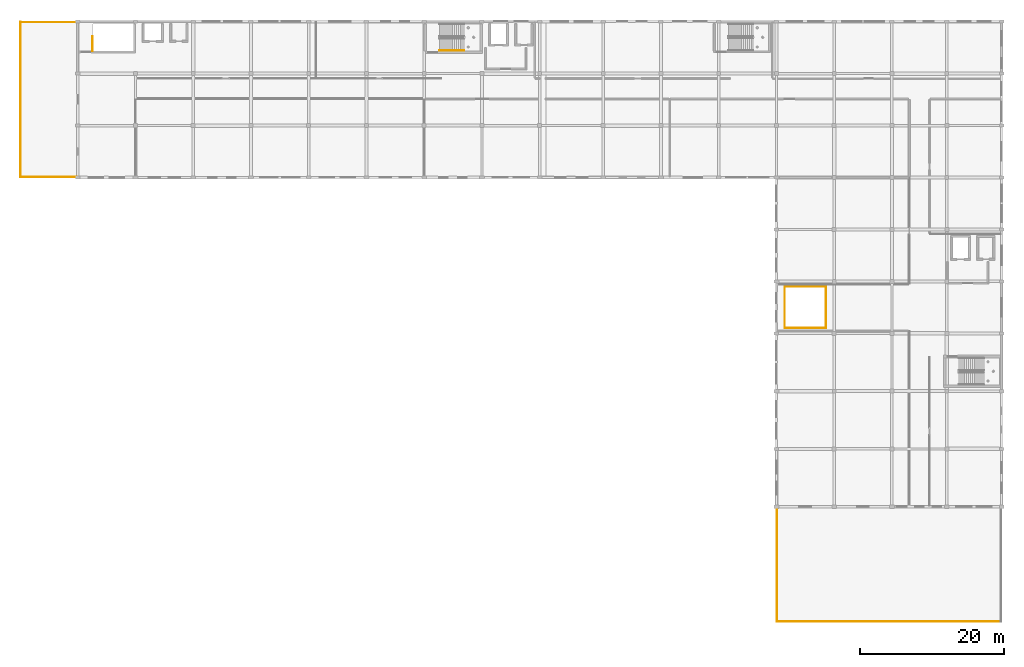
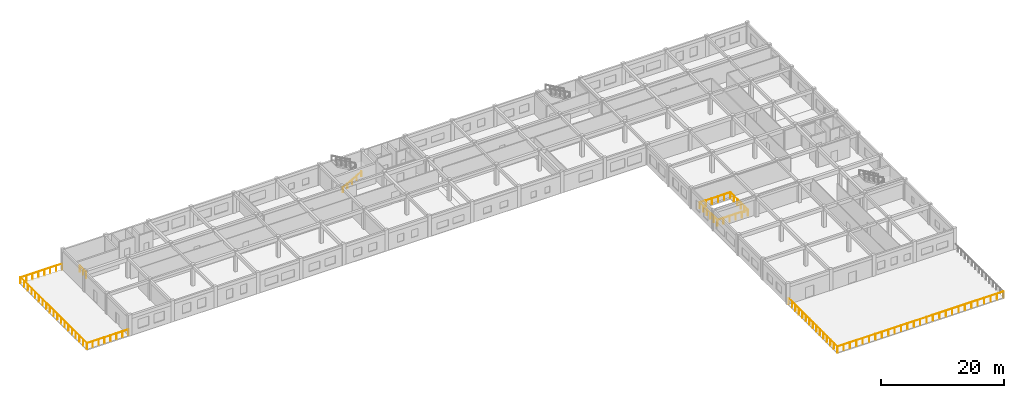
# One storey, part 16 of 19: 11 railings.
"""IFC4 building model written with IfcOpenShell, lengths in metres."""

import ifcopenshell
import ifcopenshell.guid

model = None  # the IFC model being written
_history = None  # IfcOwnerHistory: only IFC2X3 demands one
_inside = {}  # id of a spatial element -> (the spatial element, [elements in it])
_under = {}  # id of a project, library or spatial element -> (it, [spatial elements below it])
_declared = {}  # id of a project -> (the project, [libraries it declares])
_typed = {}  # id of a type object -> (the type object, [elements of that type])
_made_of = {}  # id of a material, layer set ... -> (it, [elements and type objects made of it])


def new_model(schema):
    """Start an empty IFC model of exactly this schema.

    Asked for "IFC4X3", IfcOpenShell would pick the latest addendum, in which some entities
    have other attributes; the version numbers below select the first issue.
    IFC2X3 requires an IfcOwnerHistory on every rooted entity: one is made here for all.
    """
    global model, _history
    if schema == "IFC4X3":
        model = ifcopenshell.file(schema_version=(4, 3, 0, 0))
    else:
        model = ifcopenshell.file(schema=schema)
    _inside.clear()
    _under.clear()
    _declared.clear()
    _typed.clear()
    _made_of.clear()
    _history = None
    if model.schema == "IFC2X3":
        org = make("IfcOrganization", Name="unknown")
        user = make(
            "IfcPersonAndOrganization",
            ThePerson=make("IfcPerson", FamilyName="unknown"),
            TheOrganization=org,
        )
        app = make(
            "IfcApplication",
            ApplicationDeveloper=org,
            Version="unknown",
            ApplicationFullName="unknown",
            ApplicationIdentifier="unknown",
        )
        _history = make(
            "IfcOwnerHistory",
            OwningUser=user,
            OwningApplication=app,
            ChangeAction="ADDED",
            CreationDate=0,
        )
    return model


def make(cls, **values):
    """One entity of the class cls with the attributes given. An attribute that is None is left unset."""
    return model.create_entity(
        cls, **{name: value for name, value in values.items() if value is not None}
    )


def rooted(cls, **values):
    """An entity with a GlobalId (a new one), such as an element, a storey or a relation."""
    return make(cls, GlobalId=ifcopenshell.guid.new(), OwnerHistory=_history, **values)


def si_unit(unit_type, name, prefix=None):
    """IfcSIUnit, for example si_unit("LENGTHUNIT", "METRE", prefix="MILLI")."""
    return make("IfcSIUnit", UnitType=unit_type, Prefix=prefix, Name=name)


def assignment(units):
    """IfcUnitAssignment: the units of a project."""
    return None if units is None else make("IfcUnitAssignment", Units=units)


def point(xyz):
    """IfcCartesianPoint."""
    return None if xyz is None else make("IfcCartesianPoint", Coordinates=xyz)


def direction(xyz):
    """IfcDirection."""
    return None if xyz is None else make("IfcDirection", DirectionRatios=xyz)


def frame(location, z_axis=None, x_axis=None):
    """IfcAxis2Placement3D, a coordinate frame: its origin and axes. An axis left out is left unset."""
    return make(
        "IfcAxis2Placement3D",
        Location=point(location),
        Axis=direction(z_axis),
        RefDirection=direction(x_axis),
    )


def frame_2d(location, x_axis=None):
    """IfcAxis2Placement2D, a coordinate frame in the plane: its origin and x axis."""
    return make(
        "IfcAxis2Placement2D", Location=point(location), RefDirection=direction(x_axis)
    )


def origin():
    """The frame at (0, 0, 0) with its axes left unset."""
    return frame((0.0, 0.0, 0.0))


def origin_2d():
    """The frame at (0, 0) in the plane with its x axis left unset."""
    return frame_2d((0.0, 0.0))


def place(relative_to, where):
    """IfcLocalPlacement: puts the frame where relative to a parent placement (None: the world)."""
    return make(
        "IfcLocalPlacement", PlacementRelTo=relative_to, RelativePlacement=where
    )


def context(
    kind, dimensions, precision=None, world=None, true_north=None, identifier=None
):
    """IfcGeometricRepresentationContext, for example the 3D "Model" context."""
    return make(
        "IfcGeometricRepresentationContext",
        ContextIdentifier=identifier,
        ContextType=kind,
        CoordinateSpaceDimension=dimensions,
        Precision=precision,
        WorldCoordinateSystem=world,
        TrueNorth=true_north,
    )


def subcontext(parent, identifier, kind, view, scale=None):
    """IfcGeometricRepresentationSubContext, for example "Body" below "Model"."""
    return make(
        "IfcGeometricRepresentationSubContext",
        ContextIdentifier=identifier,
        ContextType=kind,
        ParentContext=parent,
        TargetScale=scale,
        TargetView=view,
    )


def project(units=None, contexts=None):
    """IfcProject with its units and contexts."""
    return rooted(
        "IfcProject",
        Name="project",
        RepresentationContexts=contexts,
        UnitsInContext=assignment(units),
    )


def spatial(cls, under=None, at=None, **own):
    """A site, building, storey or space (cls), placed at a placement, below another one or the project."""
    s = rooted(cls, ObjectPlacement=at, **own)
    if under is not None:
        _under.setdefault(under.id(), (under, []))[1].append(s)
    return s


def profile(cls, at=None, kind="AREA", **sizes):
    """A parametric profile (cls). Its sizes go by their IFC names, for example OverallWidth=200.0."""
    return make(cls, ProfileType=kind, Position=at, **sizes)


def circle(**sizes):
    """IfcCircleProfileDef."""
    return profile("IfcCircleProfileDef", **sizes)


def extrude(swept, where, along, depth):
    """IfcExtrudedAreaSolid: the profile swept, set in the frame where, extruded along a direction by depth."""
    return make(
        "IfcExtrudedAreaSolid",
        SweptArea=swept,
        Position=where,
        ExtrudedDirection=direction(along),
        Depth=depth,
    )


def shape(context_of_items, identifier, shape_type, items):
    """IfcShapeRepresentation: the items that make up one representation, for example the "Body"."""
    return make(
        "IfcShapeRepresentation",
        ContextOfItems=context_of_items,
        RepresentationIdentifier=identifier,
        RepresentationType=shape_type,
        Items=items,
    )


def material(Name=None, Category=None):
    """IfcMaterial."""
    return make("IfcMaterial", Name=Name, Category=Category)


def made_of(thing, what):
    """Note that an element or type object is made of a material, layer set ...; save() writes the relation."""
    if what is not None:
        _made_of.setdefault(what.id(), (what, []))[1].append(thing)
    return thing


def type_object(cls, material=None, **own):
    """A type object (cls), such as IfcWallType, which elements share."""
    return made_of(rooted(cls, **own), material)


def element(
    cls,
    number,
    at=None,
    inside=None,
    cuts=None,
    type_object=None,
    material=None,
    context=None,
    identifier="Body",
    shape_type=None,
    held_by="IfcProductDefinitionShape",
    body=None,
    shapes=None,
    **own,
):
    """One element of the class cls, such as IfcWall. Its Tag is "e" and its number.

    at: its placement. inside: the storey or other place that contains it. cuts: it is an
    opening in that element (IfcRelVoidsElement). A single representation is given by context,
    identifier, shape_type and body (its items); several are given by shapes. held_by: the class
    of the entity that holds the representations. save() writes the other relations.
    """
    e = rooted(cls, Tag="e%d" % number, ObjectPlacement=at, **own)
    if body is not None:
        shapes = [shape(context, identifier, shape_type, body)]
    if shapes is not None:
        e.Representation = make(held_by, Representations=shapes)
    if inside is not None:
        _inside.setdefault(inside.id(), (inside, []))[1].append(e)
    if cuts is not None:
        rooted(
            "IfcRelVoidsElement", RelatingBuildingElement=cuts, RelatedOpeningElement=e
        )
    if type_object is not None:
        _typed.setdefault(type_object.id(), (type_object, []))[1].append(e)
    return made_of(e, material)


def aggregate(whole, parts):
    """IfcRelAggregates: a whole, such as a stair, and the parts it consists of."""
    return rooted("IfcRelAggregates", RelatingObject=whole, RelatedObjects=parts)


def save(model, path):
    """Write the relations noted so far, then the file.

    IfcRelAggregates (storeys below a building ...), IfcRelContainedInSpatialStructure (elements
    in a storey), IfcRelDefinesByType, IfcRelAssociatesMaterial and IfcRelDeclares: one each for
    every whole, place, type object, material and project.
    """
    for whole, parts in _under.values():
        aggregate(whole, parts)
    for where, things in _inside.values():
        rooted(
            "IfcRelContainedInSpatialStructure",
            RelatedElements=things,
            RelatingStructure=where,
        )
    for kind, things in _typed.values():
        rooted("IfcRelDefinesByType", RelatedObjects=things, RelatingType=kind)
    for what, things in _made_of.values():
        rooted("IfcRelAssociatesMaterial", RelatedObjects=things, RelatingMaterial=what)
    for by, libraries in _declared.values():
        rooted("IfcRelDeclares", RelatingContext=by, RelatedDefinitions=libraries)
    model.write(path)


model = new_model("IFC4")

# Units and contexts
model_context = context("Model", 3, precision=1e-05, world=origin(), true_north=direction((0.0, 1.0)))
body_context = subcontext(model_context, "Body", "Model", "MODEL_VIEW")
ifc_project = project(units=[si_unit("LENGTHUNIT", "METRE"), si_unit("AREAUNIT", "SQUARE_METRE"), si_unit("VOLUMEUNIT", "CUBIC_METRE"), si_unit("PLANEANGLEUNIT", "RADIAN"), si_unit("MASSUNIT", "GRAM", prefix="KILO")], contexts=[model_context])

# Site, building, storey
site_placement = place(None, origin())
site = spatial("IfcSite", under=ifc_project, at=site_placement, CompositionType="ELEMENT")
building_placement = place(site_placement, origin())
building = spatial("IfcBuilding", under=site, at=building_placement, Name="Kharva Crest Polytechnic", CompositionType="ELEMENT")
storey_placement = place(building_placement, frame((0.0, 0.0, 21.60009765625)))
storey = spatial("IfcBuildingStorey", under=building, at=storey_placement, Name="L05", CompositionType="ELEMENT", Elevation=21.60009765625)

# Railings
ifc_material_1 = material(Name="Anodised aluminium", Category="aluminium")
railing_type_1 = type_object("IfcRailingType", Name="RL-STAIR-GUARD-1200", PredefinedType="GUARDRAIL", material=ifc_material_1)
railing_1_placement = place(storey_placement, frame((58.0400390625, 117.93994140625, 0.0)))
element("IfcRailing", 1, at=railing_1_placement, inside=storey, type_object=railing_type_1, Name="L05 ST-03 top well guard 1", PredefinedType="GUARDRAIL", context=body_context, shape_type="SweptSolid", body=[
    extrude(circle(Radius=0.02392578125, at=origin_2d()), frame((0.0, 0.0, 1.17578125), z_axis=(0.0, 1.0, 0.0), x_axis=(-1.0, 0.0, 0.0)), (0.0, 0.0, 1.0), 1.97998046875),
    extrude(circle(Radius=0.02099609375, at=origin_2d()), origin(), (0.0, 0.0, 1.0), 1.15185546875),
    extrude(circle(Radius=0.02099609375, at=origin_2d()), frame((0.0, 0.989990234375, 0.0)), (0.0, 0.0, 1.0), 1.15185546875),
    extrude(circle(Radius=0.02099609375, at=origin_2d()), frame((0.0, 1.97998046875, 0.0)), (0.0, 0.0, 1.0), 1.15185546875),
])
ifc_material_2 = material(Name="Teak timber", Category="wood")
railing_type_2 = type_object("IfcRailingType", Name="RL-STAIR-HAND-900", PredefinedType="HANDRAIL", material=ifc_material_2)
railing_2_placement = place(storey_placement, frame((106.090087890625, 117.989990234375, 0.14990234375)))
element("IfcRailing", 2, at=railing_2_placement, inside=storey, type_object=railing_type_2, Name="L05 ST-04 stair handrail 1", PredefinedType="HANDRAIL", context=body_context, shape_type="SweptSolid", body=[
    extrude(circle(Radius=0.02392578125, at=origin_2d()), frame((0.0, 0.0, 0.8759765625), z_axis=(0.870251367514, 0.0, 0.492607914411), x_axis=(0.0, 1.0, 0.0)), (0.0, 0.0, 1.0), 3.95849609375),
    extrude(circle(Radius=0.02099609375, at=origin_2d()), origin(), (0.0, 0.0, 1.0), 0.851806640625),
    extrude(circle(Radius=0.02099609375, at=origin_2d()), frame((0.861328125, 0.0, 0.487548828125)), (0.0, 0.0, 1.0), 0.851806640625),
    extrude(circle(Radius=0.02099609375, at=origin_2d()), frame((1.722412109375, 0.0, 0.97509765625)), (0.0, 0.0, 1.0), 0.851806640625),
    extrude(circle(Radius=0.02099609375, at=origin_2d()), frame((2.58349609375, 0.0, 1.46240234375)), (0.0, 0.0, 1.0), 0.851806640625),
    extrude(circle(Radius=0.02099609375, at=origin_2d()), frame((3.44482421875, 0.0, 1.949951171875)), (0.0, 0.0, 1.0), 0.851806640625),
])
railing_type_3 = type_object("IfcRailingType", Name="RL-TERRACE-GUARD-1200", PredefinedType="GUARDRAIL", material=ifc_material_1)
for number, where, name in (
    (3, (48.06005859375, 100.47998046875, 0.0), "L05 TER_N_L05 S Balustrade 26"),
    (4, (48.06005859375, 121.919921875, 0.0), "L05 TER_N_L05 N Balustrade 27"),
):
    element("IfcRailing", number, at=place(storey_placement, frame(where)), inside=storey, type_object=railing_type_3, Name=name, PredefinedType="GUARDRAIL", context=body_context, shape_type="SweptSolid", body=[
        extrude(circle(Radius=0.02392578125, at=origin_2d()), frame((0.0, 0.0, 1.17578125), z_axis=(1.0, 0.0, 0.0), x_axis=(0.0, 1.0, 0.0)), (0.0, 0.0, 1.0), 7.800048828125),
        extrude(circle(Radius=0.02099609375, at=origin_2d()), origin(), (0.0, 0.0, 1.0), 1.15185546875),
        extrude(circle(Radius=0.02099609375, at=origin_2d()), frame((1.1142578125, 0.0, 0.0)), (0.0, 0.0, 1.0), 1.15185546875),
        extrude(circle(Radius=0.02099609375, at=origin_2d()), frame((2.228515625, 0.0, 0.0)), (0.0, 0.0, 1.0), 1.15185546875),
        extrude(circle(Radius=0.02099609375, at=origin_2d()), frame((3.3427734375, 0.0, 0.0)), (0.0, 0.0, 1.0), 1.15185546875),
        extrude(circle(Radius=0.02099609375, at=origin_2d()), frame((4.457275390625, 0.0, 0.0)), (0.0, 0.0, 1.0), 1.15185546875),
        extrude(circle(Radius=0.02099609375, at=origin_2d()), frame((5.571533203125, 0.0, 0.0)), (0.0, 0.0, 1.0), 1.15185546875),
        extrude(circle(Radius=0.02099609375, at=origin_2d()), frame((6.685791015625, 0.0, 0.0)), (0.0, 0.0, 1.0), 1.15185546875),
        extrude(circle(Radius=0.02099609375, at=origin_2d()), frame((7.800048828125, 0.0, 0.0)), (0.0, 0.0, 1.0), 1.15185546875),
    ])
railing_3_placement = place(storey_placement, frame((48.080078125, 100.4599609375, 0.0)))
element("IfcRailing", 5, at=railing_3_placement, inside=storey, type_object=railing_type_3, Name="L05 TER_N_L05 W Balustrade 28", PredefinedType="GUARDRAIL", context=body_context, shape_type="SweptSolid", body=[
    extrude(circle(Radius=0.02392578125, at=origin_2d()), frame((0.0, 0.0, 1.17578125), z_axis=(0.0, 1.0, 0.0), x_axis=(-1.0, 0.0, 0.0)), (0.0, 0.0, 1.0), 21.47998046875),
    extrude(circle(Radius=0.02099609375, at=origin_2d()), origin(), (0.0, 0.0, 1.0), 1.15185546875),
    extrude(circle(Radius=0.02099609375, at=origin_2d()), frame((0.0, 1.193359375, 0.0)), (0.0, 0.0, 1.0), 1.15185546875),
    extrude(circle(Radius=0.02099609375, at=origin_2d()), frame((0.0, 2.38671875, 0.0)), (0.0, 0.0, 1.0), 1.15185546875),
    extrude(circle(Radius=0.02099609375, at=origin_2d()), frame((0.0, 3.580078125, 0.0)), (0.0, 0.0, 1.0), 1.15185546875),
    extrude(circle(Radius=0.02099609375, at=origin_2d()), frame((0.0, 4.7734375, 0.0)), (0.0, 0.0, 1.0), 1.15185546875),
    extrude(circle(Radius=0.02099609375, at=origin_2d()), frame((0.0, 5.966552734375, 0.0)), (0.0, 0.0, 1.0), 1.15185546875),
    extrude(circle(Radius=0.02099609375, at=origin_2d()), frame((0.0, 7.159912109375, 0.0)), (0.0, 0.0, 1.0), 1.15185546875),
    extrude(circle(Radius=0.02099609375, at=origin_2d()), frame((0.0, 8.353271484375, 0.0)), (0.0, 0.0, 1.0), 1.15185546875),
    extrude(circle(Radius=0.02099609375, at=origin_2d()), frame((0.0, 9.546630859375, 0.0)), (0.0, 0.0, 1.0), 1.15185546875),
    extrude(circle(Radius=0.02099609375, at=origin_2d()), frame((0.0, 10.739990234375, 0.0)), (0.0, 0.0, 1.0), 1.15185546875),
    extrude(circle(Radius=0.02099609375, at=origin_2d()), frame((0.0, 11.933349609375, 0.0)), (0.0, 0.0, 1.0), 1.15185546875),
    extrude(circle(Radius=0.02099609375, at=origin_2d()), frame((0.0, 13.126708984375, 0.0)), (0.0, 0.0, 1.0), 1.15185546875),
    extrude(circle(Radius=0.02099609375, at=origin_2d()), frame((0.0, 14.320068359375, 0.0)), (0.0, 0.0, 1.0), 1.15185546875),
    extrude(circle(Radius=0.02099609375, at=origin_2d()), frame((0.0, 15.513427734375, 0.0)), (0.0, 0.0, 1.0), 1.15185546875),
    extrude(circle(Radius=0.02099609375, at=origin_2d()), frame((0.0, 16.70654296875, 0.0)), (0.0, 0.0, 1.0), 1.15185546875),
    extrude(circle(Radius=0.02099609375, at=origin_2d()), frame((0.0, 17.89990234375, 0.0)), (0.0, 0.0, 1.0), 1.15185546875),
    extrude(circle(Radius=0.02099609375, at=origin_2d()), frame((0.0, 19.09326171875, 0.0)), (0.0, 0.0, 1.0), 1.15185546875),
    extrude(circle(Radius=0.02099609375, at=origin_2d()), frame((0.0, 20.28662109375, 0.0)), (0.0, 0.0, 1.0), 1.15185546875),
    extrude(circle(Radius=0.02099609375, at=origin_2d()), frame((0.0, 21.47998046875, 0.0)), (0.0, 0.0, 1.0), 1.15185546875),
])
railing_4_placement = place(storey_placement, frame((152.860107421875, 38.8798828125, 0.0)))
element("IfcRailing", 6, at=railing_4_placement, inside=storey, type_object=railing_type_3, Name="L05 TER_E_L05 S Balustrade 29", PredefinedType="GUARDRAIL", context=body_context, shape_type="SweptSolid", body=[
    extrude(circle(Radius=0.02392578125, at=origin_2d()), frame((0.0, 0.0, 1.17578125), z_axis=(1.0, 0.0, 0.0), x_axis=(0.0, 1.0, 0.0)), (0.0, 0.0, 1.0), 31.079833984375),
    extrude(circle(Radius=0.02099609375, at=origin_2d()), origin(), (0.0, 0.0, 1.0), 1.15185546875),
    extrude(circle(Radius=0.02099609375, at=origin_2d()), frame((1.1953125, 0.0, 0.0)), (0.0, 0.0, 1.0), 1.15185546875),
    extrude(circle(Radius=0.02099609375, at=origin_2d()), frame((2.390869140625, 0.0, 0.0)), (0.0, 0.0, 1.0), 1.15185546875),
    extrude(circle(Radius=0.02099609375, at=origin_2d()), frame((3.586181640625, 0.0, 0.0)), (0.0, 0.0, 1.0), 1.15185546875),
    extrude(circle(Radius=0.02099609375, at=origin_2d()), frame((4.781494140625, 0.0, 0.0)), (0.0, 0.0, 1.0), 1.15185546875),
    extrude(circle(Radius=0.02099609375, at=origin_2d()), frame((5.976806640625, 0.0, 0.0)), (0.0, 0.0, 1.0), 1.15185546875),
    extrude(circle(Radius=0.02099609375, at=origin_2d()), frame((7.17236328125, 0.0, 0.0)), (0.0, 0.0, 1.0), 1.15185546875),
    extrude(circle(Radius=0.02099609375, at=origin_2d()), frame((8.36767578125, 0.0, 0.0)), (0.0, 0.0, 1.0), 1.15185546875),
    extrude(circle(Radius=0.02099609375, at=origin_2d()), frame((9.56298828125, 0.0, 0.0)), (0.0, 0.0, 1.0), 1.15185546875),
    extrude(circle(Radius=0.02099609375, at=origin_2d()), frame((10.75830078125, 0.0, 0.0)), (0.0, 0.0, 1.0), 1.15185546875),
    extrude(circle(Radius=0.02099609375, at=origin_2d()), frame((11.953857421875, 0.0, 0.0)), (0.0, 0.0, 1.0), 1.15185546875),
    extrude(circle(Radius=0.02099609375, at=origin_2d()), frame((13.149169921875, 0.0, 0.0)), (0.0, 0.0, 1.0), 1.15185546875),
    extrude(circle(Radius=0.02099609375, at=origin_2d()), frame((14.344482421875, 0.0, 0.0)), (0.0, 0.0, 1.0), 1.15185546875),
    extrude(circle(Radius=0.02099609375, at=origin_2d()), frame((15.5400390625, 0.0, 0.0)), (0.0, 0.0, 1.0), 1.15185546875),
    extrude(circle(Radius=0.02099609375, at=origin_2d()), frame((16.7353515625, 0.0, 0.0)), (0.0, 0.0, 1.0), 1.15185546875),
    extrude(circle(Radius=0.02099609375, at=origin_2d()), frame((17.9306640625, 0.0, 0.0)), (0.0, 0.0, 1.0), 1.15185546875),
    extrude(circle(Radius=0.02099609375, at=origin_2d()), frame((19.1259765625, 0.0, 0.0)), (0.0, 0.0, 1.0), 1.15185546875),
    extrude(circle(Radius=0.02099609375, at=origin_2d()), frame((20.321533203125, 0.0, 0.0)), (0.0, 0.0, 1.0), 1.15185546875),
    extrude(circle(Radius=0.02099609375, at=origin_2d()), frame((21.516845703125, 0.0, 0.0)), (0.0, 0.0, 1.0), 1.15185546875),
    extrude(circle(Radius=0.02099609375, at=origin_2d()), frame((22.712158203125, 0.0, 0.0)), (0.0, 0.0, 1.0), 1.15185546875),
    extrude(circle(Radius=0.02099609375, at=origin_2d()), frame((23.907470703125, 0.0, 0.0)), (0.0, 0.0, 1.0), 1.15185546875),
    extrude(circle(Radius=0.02099609375, at=origin_2d()), frame((25.10302734375, 0.0, 0.0)), (0.0, 0.0, 1.0), 1.15185546875),
    extrude(circle(Radius=0.02099609375, at=origin_2d()), frame((26.29833984375, 0.0, 0.0)), (0.0, 0.0, 1.0), 1.15185546875),
    extrude(circle(Radius=0.02099609375, at=origin_2d()), frame((27.49365234375, 0.0, 0.0)), (0.0, 0.0, 1.0), 1.15185546875),
    extrude(circle(Radius=0.02099609375, at=origin_2d()), frame((28.68896484375, 0.0, 0.0)), (0.0, 0.0, 1.0), 1.15185546875),
    extrude(circle(Radius=0.02099609375, at=origin_2d()), frame((29.884521484375, 0.0, 0.0)), (0.0, 0.0, 1.0), 1.15185546875),
    extrude(circle(Radius=0.02099609375, at=origin_2d()), frame((31.079833984375, 0.0, 0.0)), (0.0, 0.0, 1.0), 1.15185546875),
])
railing_5_placement = place(storey_placement, frame((152.8798828125, 38.860107421875, 0.0)))
element("IfcRailing", 7, at=railing_5_placement, inside=storey, type_object=railing_type_3, Name="L05 TER_E_L05 W Balustrade 30", PredefinedType="GUARDRAIL", context=body_context, shape_type="SweptSolid", body=[
    extrude(circle(Radius=0.02392578125, at=origin_2d()), frame((0.0, 0.0, 1.17578125), z_axis=(0.0, 1.0, 0.0), x_axis=(-1.0, 0.0, 0.0)), (0.0, 0.0, 1.0), 15.7998046875),
    extrude(circle(Radius=0.02099609375, at=origin_2d()), origin(), (0.0, 0.0, 1.0), 1.15185546875),
    extrude(circle(Radius=0.02099609375, at=origin_2d()), frame((0.0, 1.128662109375, 0.0)), (0.0, 0.0, 1.0), 1.15185546875),
    extrude(circle(Radius=0.02099609375, at=origin_2d()), frame((0.0, 2.257080078125, 0.0)), (0.0, 0.0, 1.0), 1.15185546875),
    extrude(circle(Radius=0.02099609375, at=origin_2d()), frame((0.0, 3.3857421875, 0.0)), (0.0, 0.0, 1.0), 1.15185546875),
    extrude(circle(Radius=0.02099609375, at=origin_2d()), frame((0.0, 4.51416015625, 0.0)), (0.0, 0.0, 1.0), 1.15185546875),
    extrude(circle(Radius=0.02099609375, at=origin_2d()), frame((0.0, 5.642822265625, 0.0)), (0.0, 0.0, 1.0), 1.15185546875),
    extrude(circle(Radius=0.02099609375, at=origin_2d()), frame((0.0, 6.771240234375, 0.0)), (0.0, 0.0, 1.0), 1.15185546875),
    extrude(circle(Radius=0.02099609375, at=origin_2d()), frame((0.0, 7.89990234375, 0.0)), (0.0, 0.0, 1.0), 1.15185546875),
    extrude(circle(Radius=0.02099609375, at=origin_2d()), frame((0.0, 9.028564453125, 0.0)), (0.0, 0.0, 1.0), 1.15185546875),
    extrude(circle(Radius=0.02099609375, at=origin_2d()), frame((0.0, 10.156982421875, 0.0)), (0.0, 0.0, 1.0), 1.15185546875),
    extrude(circle(Radius=0.02099609375, at=origin_2d()), frame((0.0, 11.28564453125, 0.0)), (0.0, 0.0, 1.0), 1.15185546875),
    extrude(circle(Radius=0.02099609375, at=origin_2d()), frame((0.0, 12.4140625, 0.0)), (0.0, 0.0, 1.0), 1.15185546875),
    extrude(circle(Radius=0.02099609375, at=origin_2d()), frame((0.0, 13.542724609375, 0.0)), (0.0, 0.0, 1.0), 1.15185546875),
    extrude(circle(Radius=0.02099609375, at=origin_2d()), frame((0.0, 14.671142578125, 0.0)), (0.0, 0.0, 1.0), 1.15185546875),
    extrude(circle(Radius=0.02099609375, at=origin_2d()), frame((0.0, 15.7998046875, 0.0)), (0.0, 0.0, 1.0), 1.15185546875),
])
railing_type_4 = type_object("IfcRailingType", Name="RL-VOID-GUARD-1200", PredefinedType="GUARDRAIL", material=ifc_material_1)
railing_6_placement = place(storey_placement, frame((153.93994140625, 79.5400390625, 0.0)))
element("IfcRailing", 8, at=railing_6_placement, inside=storey, type_object=railing_type_4, Name="L05 Atrium Void Guard 37", PredefinedType="GUARDRAIL", context=body_context, shape_type="SweptSolid", body=[
    extrude(circle(Radius=0.02392578125, at=origin_2d()), frame((0.0, 0.0, 1.17578125), z_axis=(1.0, 0.0, 0.0), x_axis=(0.0, 1.0, 0.0)), (0.0, 0.0, 1.0), 5.719970703125),
    extrude(circle(Radius=0.02099609375, at=origin_2d()), origin(), (0.0, 0.0, 1.0), 1.15185546875),
    extrude(circle(Radius=0.02099609375, at=origin_2d()), frame((1.14404296875, 0.0, 0.0)), (0.0, 0.0, 1.0), 1.15185546875),
    extrude(circle(Radius=0.02099609375, at=origin_2d()), frame((2.2880859375, 0.0, 0.0)), (0.0, 0.0, 1.0), 1.15185546875),
    extrude(circle(Radius=0.02099609375, at=origin_2d()), frame((3.431884765625, 0.0, 0.0)), (0.0, 0.0, 1.0), 1.15185546875),
    extrude(circle(Radius=0.02099609375, at=origin_2d()), frame((4.575927734375, 0.0, 0.0)), (0.0, 0.0, 1.0), 1.15185546875),
    extrude(circle(Radius=0.02099609375, at=origin_2d()), frame((5.719970703125, 0.0, 0.0)), (0.0, 0.0, 1.0), 1.15185546875),
])
railing_7_placement = place(storey_placement, frame((159.659912109375, 79.5400390625, 0.0)))
element("IfcRailing", 9, at=railing_7_placement, inside=storey, type_object=railing_type_4, Name="L05 Atrium Void Guard 38", PredefinedType="GUARDRAIL", context=body_context, shape_type="SweptSolid", body=[
    extrude(circle(Radius=0.02392578125, at=origin_2d()), frame((0.0, 0.0, 1.17578125), z_axis=(0.0, 1.0, 0.0), x_axis=(-1.0, 0.0, 0.0)), (0.0, 0.0, 1.0), 5.719970703125),
    extrude(circle(Radius=0.02099609375, at=origin_2d()), origin(), (0.0, 0.0, 1.0), 1.15185546875),
    extrude(circle(Radius=0.02099609375, at=origin_2d()), frame((0.0, 1.14404296875, 0.0)), (0.0, 0.0, 1.0), 1.15185546875),
    extrude(circle(Radius=0.02099609375, at=origin_2d()), frame((0.0, 2.2880859375, 0.0)), (0.0, 0.0, 1.0), 1.15185546875),
    extrude(circle(Radius=0.02099609375, at=origin_2d()), frame((0.0, 3.431884765625, 0.0)), (0.0, 0.0, 1.0), 1.15185546875),
    extrude(circle(Radius=0.02099609375, at=origin_2d()), frame((0.0, 4.575927734375, 0.0)), (0.0, 0.0, 1.0), 1.15185546875),
    extrude(circle(Radius=0.02099609375, at=origin_2d()), frame((0.0, 5.719970703125, 0.0)), (0.0, 0.0, 1.0), 1.15185546875),
])
railing_8_placement = place(storey_placement, frame((159.659912109375, 85.260009765625, 0.0)))
element("IfcRailing", 10, at=railing_8_placement, inside=storey, type_object=railing_type_4, Name="L05 Atrium Void Guard 39", PredefinedType="GUARDRAIL", context=body_context, shape_type="SweptSolid", body=[
    extrude(circle(Radius=0.02392578125, at=origin_2d()), frame((0.0, 0.0, 1.17578125), z_axis=(-1.0, 0.0, 0.0), x_axis=(0.0, -1.0, 0.0)), (0.0, 0.0, 1.0), 5.719970703125),
    extrude(circle(Radius=0.02099609375, at=origin_2d()), origin(), (0.0, 0.0, 1.0), 1.15185546875),
    extrude(circle(Radius=0.02099609375, at=origin_2d()), frame((-1.14404296875, 0.0, 0.0)), (0.0, 0.0, 1.0), 1.15185546875),
    extrude(circle(Radius=0.02099609375, at=origin_2d()), frame((-2.2880859375, 0.0, 0.0)), (0.0, 0.0, 1.0), 1.15185546875),
    extrude(circle(Radius=0.02099609375, at=origin_2d()), frame((-3.431884765625, 0.0, 0.0)), (0.0, 0.0, 1.0), 1.15185546875),
    extrude(circle(Radius=0.02099609375, at=origin_2d()), frame((-4.575927734375, 0.0, 0.0)), (0.0, 0.0, 1.0), 1.15185546875),
    extrude(circle(Radius=0.02099609375, at=origin_2d()), frame((-5.719970703125, 0.0, 0.0)), (0.0, 0.0, 1.0), 1.15185546875),
])
railing_9_placement = place(storey_placement, frame((153.93994140625, 85.260009765625, 0.0)))
element("IfcRailing", 11, at=railing_9_placement, inside=storey, type_object=railing_type_4, Name="L05 Atrium Void Guard 40", PredefinedType="GUARDRAIL", context=body_context, shape_type="SweptSolid", body=[
    extrude(circle(Radius=0.02392578125, at=origin_2d()), frame((0.0, 0.0, 1.17578125), z_axis=(0.0, -1.0, 0.0), x_axis=(1.0, 0.0, 0.0)), (0.0, 0.0, 1.0), 5.719970703125),
    extrude(circle(Radius=0.02099609375, at=origin_2d()), origin(), (0.0, 0.0, 1.0), 1.15185546875),
    extrude(circle(Radius=0.02099609375, at=origin_2d()), frame((0.0, -1.14404296875, 0.0)), (0.0, 0.0, 1.0), 1.15185546875),
    extrude(circle(Radius=0.02099609375, at=origin_2d()), frame((0.0, -2.2880859375, 0.0)), (0.0, 0.0, 1.0), 1.15185546875),
    extrude(circle(Radius=0.02099609375, at=origin_2d()), frame((0.0, -3.431884765625, 0.0)), (0.0, 0.0, 1.0), 1.15185546875),
    extrude(circle(Radius=0.02099609375, at=origin_2d()), frame((0.0, -4.575927734375, 0.0)), (0.0, 0.0, 1.0), 1.15185546875),
    extrude(circle(Radius=0.02099609375, at=origin_2d()), frame((0.0, -5.719970703125, 0.0)), (0.0, 0.0, 1.0), 1.15185546875),
])

save(model, "model.ifc")
